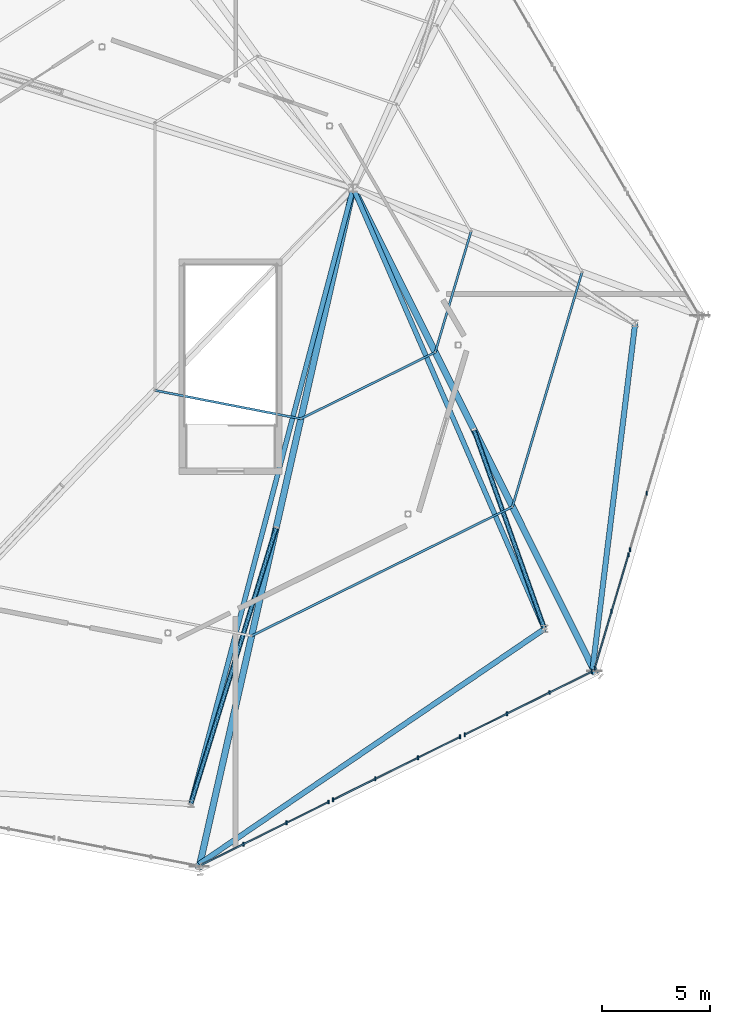
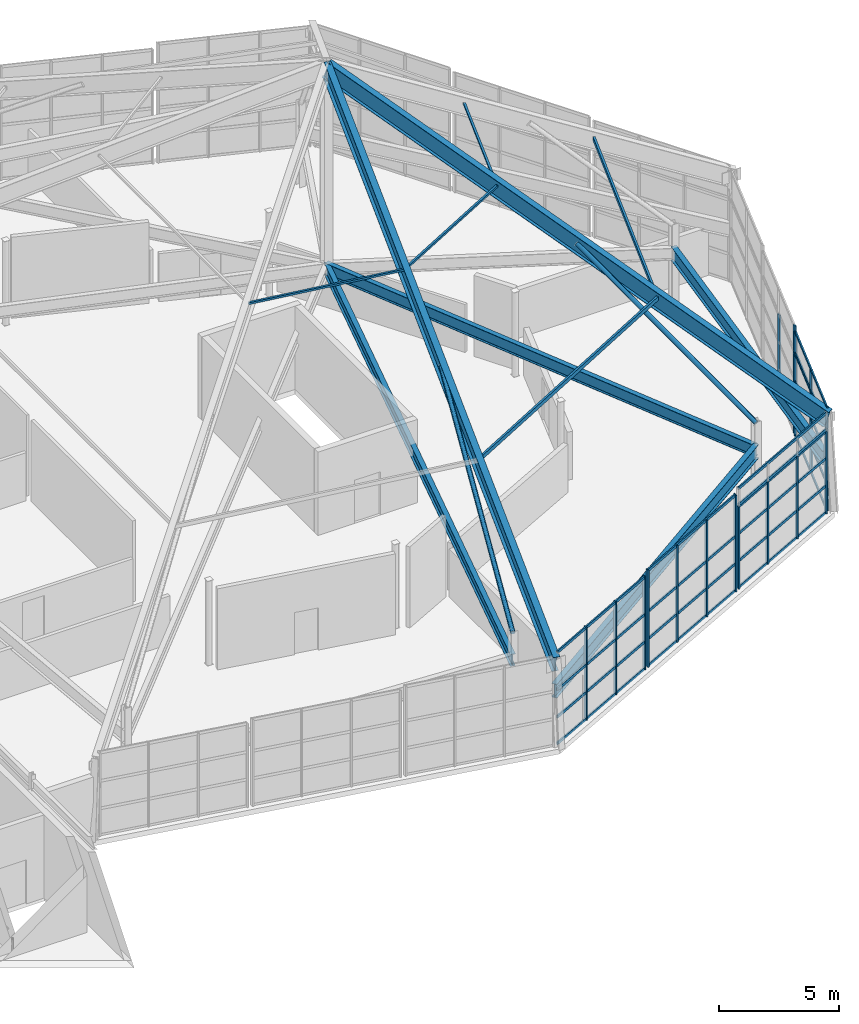
# One storey, part 15 of 50: 47 members, 6 beams, 8 elements without a shape of their own.
"""IFC4 building model written with IfcOpenShell, lengths in metres."""

from ifc_helpers import new_model, si_unit, direction, frame, origin, origin_2d, place, context, subcontext, project, spatial, rectangle, hollow_rectangle, hollow_circle, i_section, extrude, material, material_profile, profile_set, type_object, element, aggregate, save


model = new_model("IFC4")

# Units and contexts
model_context = context("Model", 3, precision=1e-05, world=origin(), true_north=direction((0.0, 1.0)))
body_context = subcontext(model_context, "Body", "Model", "MODEL_VIEW")
ifc_project = project(units=[si_unit("LENGTHUNIT", "METRE"), si_unit("AREAUNIT", "SQUARE_METRE"), si_unit("VOLUMEUNIT", "CUBIC_METRE"), si_unit("PLANEANGLEUNIT", "RADIAN"), si_unit("MASSUNIT", "GRAM", prefix="KILO")], contexts=[model_context])

# Site, building, storey
site_placement = place(None, origin())
site = spatial("IfcSite", under=ifc_project, at=site_placement, CompositionType="ELEMENT")
building_placement = place(site_placement, origin())
building = spatial("IfcBuilding", under=site, at=building_placement, Name="Sarnbrook Museum", CompositionType="ELEMENT")
storey_placement = place(building_placement, frame((0.0, 0.0, 28.10009765625)))
storey = spatial("IfcBuildingStorey", under=building, at=storey_placement, Name="L05", CompositionType="ELEMENT", Elevation=28.10009765625)

# Beams
ifc_material_1 = material(Name="Structural Steel Grade 300PLUS (AS/NZS 3679.1, fy = 280 MPa for 17 < t <= 40 mm, 300 MPa for t <= 17 mm)", Category="steel")
ifc_material_profile_1 = material_profile(ifc_material_1, i_section(OverallWidth=0.22802734375, OverallDepth=0.60693359375, WebThickness=0.01123046875, FlangeThickness=0.017333984375, FilletRadius=0.013916015625, at=origin_2d()), Name="610UB113")
ifc_profile_set_1 = profile_set([ifc_material_profile_1], Name="Structural Steel Grade 300PLUS (AS/NZS 3679.1, fy = 280 MPa for 17 < t <= 40 mm, 300 MPa for t <= 17 mm)")
beam_type_1 = type_object("IfcBeamType", Name="BM-UB610", PredefinedType="BEAM", material=ifc_profile_set_1)
beam_1_placement = place(storey_placement, frame((141.9560546875, 64.87744140625, 2.75), z_axis=(0.254862730598, 0.966977243037, 0.0), x_axis=(-0.966977243037, 0.254862730598, 0.0)))
element("IfcBeam", 1, at=beam_1_placement, inside=storey, type_object=beam_type_1, Name="Crystal Roof Hub Tie Girder ST-2", PredefinedType="BEAM", context=body_context, shape_type="SweptSolid", body=[
    extrude(i_section(OverallWidth=0.22802734375, OverallDepth=0.60693359375, WebThickness=0.01123046875, FlangeThickness=0.017333984375, FilletRadius=0.013916015625, at=origin_2d()), origin(), (0.0, 0.0, 1.0), 29.60009765625),
])
beam_2_placement = place(storey_placement, frame((158.392822265625, 73.015869140625, 2.75), z_axis=(-0.398224345899, 0.917288051995, 0.0), x_axis=(-0.917288051995, -0.398224345899, 0.0)))
element("IfcBeam", 2, at=beam_2_placement, inside=storey, type_object=beam_type_1, Name="Crystal Roof Hub Tie Girder ST-3", PredefinedType="BEAM", context=body_context, shape_type="SweptSolid", body=[
    extrude(i_section(OverallWidth=0.22802734375, OverallDepth=0.60693359375, WebThickness=0.01123046875, FlangeThickness=0.017333984375, FilletRadius=0.013916015625, at=origin_2d()), origin(), (0.0, 0.0, 1.0), 22.331298828125),
])
ifc_material_2 = material(Name="Structural Steel Grade 350L0 (AS/NZS 3678, fy = 340 MPa for 20 < t <= 40 mm)", Category="steel")
ifc_material_profile_2 = material_profile(ifc_material_2, i_section(OverallWidth=0.25, OverallDepth=0.699951171875, WebThickness=0.010009765625, FlangeThickness=0.01611328125, at=origin_2d()), Name="700WB130")
ifc_profile_set_2 = profile_set([ifc_material_profile_2], Name="Structural Steel Grade 350L0 (AS/NZS 3678, fy = 340 MPa for 20 < t <= 40 mm)")
beam_type_2 = type_object("IfcBeamType", Name="BM-WB700", PredefinedType="BEAM", material=ifc_profile_set_2)
beam_3_placement = place(storey_placement, frame((142.33251953125, 62.077880859375, 2.75), z_axis=(0.826519897111, 0.56290750544, 0.0), x_axis=(-0.56290750544, 0.826519897111, 0.0)))
element("IfcBeam", 3, at=beam_3_placement, inside=storey, type_object=beam_type_2, Name="Crystal Roof Eaves Tie Girder ST-2", PredefinedType="BEAM", context=body_context, shape_type="SweptSolid", body=[
    extrude(i_section(OverallWidth=0.25, OverallDepth=0.699951171875, WebThickness=0.010009765625, FlangeThickness=0.01611328125, at=origin_2d()), origin(), (0.0, 0.0, 1.0), 19.43115234375),
])
beam_4_placement = place(storey_placement, frame((160.625732421875, 71.1357421875, 2.75), z_axis=(0.122309171688, 0.992492048593, 0.0), x_axis=(-0.992492048593, 0.122309171688, 0.0)))
element("IfcBeam", 4, at=beam_4_placement, inside=storey, type_object=beam_type_2, Name="Crystal Roof Eaves Tie Girder ST-3", PredefinedType="BEAM", context=body_context, shape_type="SweptSolid", body=[
    extrude(i_section(OverallWidth=0.25, OverallDepth=0.699951171875, WebThickness=0.010009765625, FlangeThickness=0.01611328125, at=origin_2d()), origin(), (0.0, 0.0, 1.0), 16.1962890625),
])
ifc_material_profile_3 = material_profile(ifc_material_2, i_section(OverallWidth=0.300048828125, OverallDepth=0.89990234375, WebThickness=0.011962890625, FlangeThickness=0.02001953125, at=origin_2d()), Name="900WB175")
ifc_profile_set_3 = profile_set([ifc_material_profile_3], Name="Structural Steel Grade 350L0 (AS/NZS 3678, fy = 340 MPa for 20 < t <= 40 mm)")
beam_type_3 = type_object("IfcBeamType", Name="BM-WB900", PredefinedType="BEAM", material=ifc_profile_set_3)
beam_5_placement = place(storey_placement, frame((142.347412109375, 61.9677734375, 4.169921875), z_axis=(0.213533555288, 0.941363957635, 0.261222740265), x_axis=(-0.97522518986, 0.221214441352, 0.0)))
element("IfcBeam", 5, at=beam_5_placement, inside=storey, type_object=beam_type_3, Name="Crystal Sawtooth Roof Rafter ST-2", PredefinedType="BEAM", context=body_context, shape_type="SweptSolid", body=[
    extrude(i_section(OverallWidth=0.300048828125, OverallDepth=0.89990234375, WebThickness=0.011962890625, FlangeThickness=0.02001953125, at=origin_2d()), origin(), (0.0, 0.0, 1.0), 33.496337890625),
])
beam_6_placement = place(storey_placement, frame((160.713623046875, 71.061767578125, 4.77001953125), z_axis=(-0.425161094171, 0.850738731619, 0.309001059102), x_axis=(-0.89451476927, -0.447038396067, 0.0)))
element("IfcBeam", 6, at=beam_6_placement, inside=storey, type_object=beam_type_3, Name="Crystal Sawtooth Roof Rafter ST-3", PredefinedType="BEAM", context=body_context, shape_type="SweptSolid", body=[
    extrude(i_section(OverallWidth=0.300048828125, OverallDepth=0.89990234375, WebThickness=0.011962890625, FlangeThickness=0.02001953125, at=origin_2d()), origin(), (0.0, 0.0, 1.0), 26.375),
])

# Curtain wall, members
ifc_material_3 = material(Name="Thermally Broken Anodised Aluminium 6063-T6", Category="aluminium")
curtain_wall_type_1 = type_object("IfcCurtainWallType", Name="CurtainWall_CrystalFacet", PredefinedType="NOTDEFINED", material=ifc_material_3)
curtain_wall_1_placement = place(storey_placement, origin())
curtain_wall_1 = element("IfcCurtainWall", 7, at=curtain_wall_1_placement, inside=storey, type_object=curtain_wall_type_1, Name="Crystal Hall Facet Curtain Wall L05-F2.1", PredefinedType="NOTDEFINED")
ifc_material_profile_4 = material_profile(ifc_material_3, rectangle(XDim=0.06494140625, YDim=0.179931640625, at=origin_2d()), Name="ALU MULLION 65x180")
ifc_profile_set_4 = profile_set([ifc_material_profile_4], Name="Thermally Broken Anodised Aluminium 6063-T6")
member_type_1 = type_object("IfcMemberType", Name="CW_Mullion_180x75", PredefinedType="MULLION", material=ifc_profile_set_4)
member_1_placement = place(storey_placement, frame((144.406982421875, 63.0126953125, 0.0), z_axis=(0.0, 0.0, 1.0), x_axis=(1.0, 0.0, 0.0)))
member_1 = element("IfcMember", 8, at=member_1_placement, type_object=member_type_1, Name="Crystal Hall Facet Curtain Wall L05-F2.1 Mullion 2", PredefinedType="MULLION", context=body_context, shape_type="SweptSolid", body=[
    extrude(rectangle(XDim=0.06494140625, YDim=0.179931640625, at=origin_2d()), origin(), (0.0, 0.0, 1.0), 4.72998046875),
])
member_2_placement = place(storey_placement, frame((146.398193359375, 63.99853515625, 0.0), z_axis=(0.0, 0.0, 1.0), x_axis=(1.0, 0.0, 0.0)))
member_2 = element("IfcMember", 9, at=member_2_placement, type_object=member_type_1, Name="Crystal Hall Facet Curtain Wall L05-F2.1 Mullion 3", PredefinedType="MULLION", context=body_context, shape_type="SweptSolid", body=[
    extrude(rectangle(XDim=0.06494140625, YDim=0.179931640625, at=origin_2d()), origin(), (0.0, 0.0, 1.0), 4.72998046875),
])
member_3_placement = place(storey_placement, frame((148.353515625, 64.966796875, 0.0), z_axis=(0.0, 0.0, 1.0), x_axis=(1.0, 0.0, 0.0)))
member_3 = element("IfcMember", 10, at=member_3_placement, type_object=member_type_1, Name="Crystal Hall Facet Curtain Wall L05-F2.1 Mullion 4", PredefinedType="MULLION", context=body_context, shape_type="SweptSolid", body=[
    extrude(rectangle(XDim=0.06494140625, YDim=0.179931640625, at=origin_2d()), origin(), (0.0, 0.0, 1.0), 4.72998046875),
])

curtain_wall_2_placement = place(storey_placement, origin())
curtain_wall_2 = element("IfcCurtainWall", 11, at=curtain_wall_2_placement, inside=storey, type_object=curtain_wall_type_1, Name="Crystal Hall Facet Curtain Wall L05-F2.2", PredefinedType="NOTDEFINED")
member_4_placement = place(storey_placement, frame((148.568603515625, 65.0732421875, 0.0), z_axis=(0.0, 0.0, 1.0), x_axis=(1.0, 0.0, 0.0)))
member_4 = element("IfcMember", 12, at=member_4_placement, type_object=member_type_1, Name="Crystal Hall Facet Curtain Wall L05-F2.2 Mullion 1", PredefinedType="MULLION", context=body_context, shape_type="SweptSolid", body=[
    extrude(rectangle(XDim=0.06494140625, YDim=0.179931640625, at=origin_2d()), origin(), (0.0, 0.0, 1.0), 4.929931640625),
])
member_5_placement = place(storey_placement, frame((150.52392578125, 66.04150390625, 0.0), z_axis=(0.0, 0.0, 1.0), x_axis=(1.0, 0.0, 0.0)))
member_5 = element("IfcMember", 13, at=member_5_placement, type_object=member_type_1, Name="Crystal Hall Facet Curtain Wall L05-F2.2 Mullion 2", PredefinedType="MULLION", context=body_context, shape_type="SweptSolid", body=[
    extrude(rectangle(XDim=0.06494140625, YDim=0.179931640625, at=origin_2d()), origin(), (0.0, 0.0, 1.0), 4.929931640625),
])
member_6_placement = place(storey_placement, frame((152.51513671875, 67.02734375, 0.0), z_axis=(0.0, 0.0, 1.0), x_axis=(1.0, 0.0, 0.0)))
member_6 = element("IfcMember", 14, at=member_6_placement, type_object=member_type_1, Name="Crystal Hall Facet Curtain Wall L05-F2.2 Mullion 3", PredefinedType="MULLION", context=body_context, shape_type="SweptSolid", body=[
    extrude(rectangle(XDim=0.06494140625, YDim=0.179931640625, at=origin_2d()), origin(), (0.0, 0.0, 1.0), 4.929931640625),
])
member_7_placement = place(storey_placement, frame((154.470458984375, 67.99560546875, 0.0), z_axis=(0.0, 0.0, 1.0), x_axis=(1.0, 0.0, 0.0)))
member_7 = element("IfcMember", 15, at=member_7_placement, type_object=member_type_1, Name="Crystal Hall Facet Curtain Wall L05-F2.2 Mullion 4", PredefinedType="MULLION", context=body_context, shape_type="SweptSolid", body=[
    extrude(rectangle(XDim=0.06494140625, YDim=0.179931640625, at=origin_2d()), origin(), (0.0, 0.0, 1.0), 4.929931640625),
])

curtain_wall_3_placement = place(storey_placement, origin())
curtain_wall_3 = element("IfcCurtainWall", 16, at=curtain_wall_3_placement, inside=storey, type_object=curtain_wall_type_1, Name="Crystal Hall Facet Curtain Wall L05-F2.3", PredefinedType="NOTDEFINED")
member_8_placement = place(storey_placement, frame((154.685546875, 68.10205078125, 0.0), z_axis=(0.0, 0.0, 1.0), x_axis=(1.0, 0.0, 0.0)))
member_8 = element("IfcMember", 17, at=member_8_placement, type_object=member_type_1, Name="Crystal Hall Facet Curtain Wall L05-F2.3 Mullion 1", PredefinedType="MULLION", context=body_context, shape_type="SweptSolid", body=[
    extrude(rectangle(XDim=0.06494140625, YDim=0.179931640625, at=origin_2d()), origin(), (0.0, 0.0, 1.0), 4.199951171875),
])
member_9_placement = place(storey_placement, frame((156.640869140625, 69.0703125, 0.0), z_axis=(0.0, 0.0, 1.0), x_axis=(1.0, 0.0, 0.0)))
member_9 = element("IfcMember", 18, at=member_9_placement, type_object=member_type_1, Name="Crystal Hall Facet Curtain Wall L05-F2.3 Mullion 2", PredefinedType="MULLION", context=body_context, shape_type="SweptSolid", body=[
    extrude(rectangle(XDim=0.06494140625, YDim=0.179931640625, at=origin_2d()), origin(), (0.0, 0.0, 1.0), 4.199951171875),
])
member_10_placement = place(storey_placement, frame((158.632080078125, 70.05615234375, 0.0), z_axis=(0.0, 0.0, 1.0), x_axis=(1.0, 0.0, 0.0)))
member_10 = element("IfcMember", 19, at=member_10_placement, type_object=member_type_1, Name="Crystal Hall Facet Curtain Wall L05-F2.3 Mullion 3", PredefinedType="MULLION", context=body_context, shape_type="SweptSolid", body=[
    extrude(rectangle(XDim=0.06494140625, YDim=0.179931640625, at=origin_2d()), origin(), (0.0, 0.0, 1.0), 4.199951171875),
])
member_11_placement = place(storey_placement, frame((160.58740234375, 71.0244140625, 0.0), z_axis=(0.0, 0.0, 1.0), x_axis=(1.0, 0.0, 0.0)))
member_11 = element("IfcMember", 20, at=member_11_placement, type_object=member_type_1, Name="Crystal Hall Facet Curtain Wall L05-F2.3 Mullion 4", PredefinedType="MULLION", context=body_context, shape_type="SweptSolid", body=[
    extrude(rectangle(XDim=0.06494140625, YDim=0.179931640625, at=origin_2d()), origin(), (0.0, 0.0, 1.0), 4.199951171875),
])

curtain_wall_4_placement = place(storey_placement, origin())
curtain_wall_4 = element("IfcCurtainWall", 21, at=curtain_wall_4_placement, inside=storey, type_object=curtain_wall_type_1, Name="Crystal Hall Facet Curtain Wall L05-F3.1", PredefinedType="NOTDEFINED")
member_12_placement = place(storey_placement, frame((160.729248046875, 71.1923828125, 0.0), z_axis=(0.0, 0.0, 1.0), x_axis=(1.0, 0.0, 0.0)))
member_12 = element("IfcMember", 22, at=member_12_placement, type_object=member_type_1, Name="Crystal Hall Facet Curtain Wall L05-F3.1 Mullion 1", PredefinedType="MULLION", context=body_context, shape_type="SweptSolid", body=[
    extrude(rectangle(XDim=0.06494140625, YDim=0.179931640625, at=origin_2d()), origin(), (0.0, 0.0, 1.0), 4.199951171875),
])
member_13_placement = place(storey_placement, frame((161.51123046875, 73.826904296875, 0.0), z_axis=(0.0, 0.0, 1.0), x_axis=(1.0, 0.0, 0.0)))
member_13 = element("IfcMember", 23, at=member_13_placement, type_object=member_type_1, Name="Crystal Hall Facet Curtain Wall L05-F3.1 Mullion 2", PredefinedType="MULLION", context=body_context, shape_type="SweptSolid", body=[
    extrude(rectangle(XDim=0.06494140625, YDim=0.179931640625, at=origin_2d()), origin(), (0.0, 0.0, 1.0), 4.199951171875),
])
member_14_placement = place(storey_placement, frame((162.293212890625, 76.461181640625, 0.0), z_axis=(0.0, 0.0, 1.0), x_axis=(1.0, 0.0, 0.0)))
member_14 = element("IfcMember", 24, at=member_14_placement, type_object=member_type_1, Name="Crystal Hall Facet Curtain Wall L05-F3.1 Mullion 3", PredefinedType="MULLION", context=body_context, shape_type="SweptSolid", body=[
    extrude(rectangle(XDim=0.06494140625, YDim=0.179931640625, at=origin_2d()), origin(), (0.0, 0.0, 1.0), 4.199951171875),
])

curtain_wall_type_2 = type_object("IfcCurtainWallType", Name="CurtainWall_Sawtooth", PredefinedType="NOTDEFINED", material=ifc_material_3)
curtain_wall_5_placement = place(storey_placement, origin())
curtain_wall_5 = element("IfcCurtainWall", 25, at=curtain_wall_5_placement, inside=storey, type_object=curtain_wall_type_2, Name="Crystal Roof Folded Eaves Clerestory 2", PredefinedType="NOTDEFINED")
member_15_placement = place(storey_placement, frame((160.729248046875, 71.1923828125, 4.219970703125), z_axis=(0.0, 0.0, 1.0), x_axis=(1.0, 0.0, 0.0)))
member_15 = element("IfcMember", 26, at=member_15_placement, type_object=member_type_1, Name="Crystal Roof Folded Eaves Clerestory 2 Mullion 1", PredefinedType="MULLION", context=body_context, shape_type="SweptSolid", body=[
    extrude(rectangle(XDim=0.06494140625, YDim=0.179931640625, at=origin_2d()), origin(), (0.0, 0.0, 1.0), 1.10986328125),
])
member_16_placement = place(storey_placement, frame((161.51123046875, 73.826904296875, 4.219970703125), z_axis=(0.0, 0.0, 1.0), x_axis=(1.0, 0.0, 0.0)))
member_16 = element("IfcMember", 27, at=member_16_placement, type_object=member_type_1, Name="Crystal Roof Folded Eaves Clerestory 2 Mullion 2", PredefinedType="MULLION", context=body_context, shape_type="SweptSolid", body=[
    extrude(rectangle(XDim=0.06494140625, YDim=0.179931640625, at=origin_2d()), origin(), (0.0, 0.0, 1.0), 1.10986328125),
])
member_17_placement = place(storey_placement, frame((162.293212890625, 76.461181640625, 4.219970703125), z_axis=(0.0, 0.0, 1.0), x_axis=(1.0, 0.0, 0.0)))
member_17 = element("IfcMember", 28, at=member_17_placement, type_object=member_type_1, Name="Crystal Roof Folded Eaves Clerestory 2 Mullion 3", PredefinedType="MULLION", context=body_context, shape_type="SweptSolid", body=[
    extrude(rectangle(XDim=0.06494140625, YDim=0.179931640625, at=origin_2d()), origin(), (0.0, 0.0, 1.0), 1.10986328125),
])

curtain_wall_6_placement = place(storey_placement, origin())
curtain_wall_6 = element("IfcCurtainWall", 29, at=curtain_wall_6_placement, inside=storey, type_object=curtain_wall_type_1, Name="Crystal Hall Facet Curtain Wall L05-F3.2", PredefinedType="NOTDEFINED")
member_18_placement = place(storey_placement, frame((162.361572265625, 76.691162109375, 0.0), z_axis=(0.0, 0.0, 1.0), x_axis=(1.0, 0.0, 0.0)))
member_18 = element("IfcMember", 30, at=member_18_placement, type_object=member_type_1, Name="Crystal Hall Facet Curtain Wall L05-F3.2 Mullion 1", PredefinedType="MULLION", context=body_context, shape_type="SweptSolid", body=[
    extrude(rectangle(XDim=0.06494140625, YDim=0.179931640625, at=origin_2d()), origin(), (0.0, 0.0, 1.0), 4.199951171875),
])
member_19_placement = place(storey_placement, frame((163.1435546875, 79.325439453125, 0.0), z_axis=(0.0, 0.0, 1.0), x_axis=(1.0, 0.0, 0.0)))
member_19 = element("IfcMember", 31, at=member_19_placement, type_object=member_type_1, Name="Crystal Hall Facet Curtain Wall L05-F3.2 Mullion 2", PredefinedType="MULLION", context=body_context, shape_type="SweptSolid", body=[
    extrude(rectangle(XDim=0.06494140625, YDim=0.179931640625, at=origin_2d()), origin(), (0.0, 0.0, 1.0), 4.199951171875),
])
aggregate(curtain_wall_6, [member_18, member_19])

# Curtain wall, member
curtain_wall_7_placement = place(storey_placement, origin())
curtain_wall_7 = element("IfcCurtainWall", 32, at=curtain_wall_7_placement, inside=storey, type_object=curtain_wall_type_2, Name="Crystal Roof Folded Eaves Clerestory 3", PredefinedType="NOTDEFINED")
member_20_placement = place(storey_placement, frame((162.361572265625, 76.691162109375, 4.219970703125), z_axis=(0.0, 0.0, 1.0), x_axis=(1.0, 0.0, 0.0)))
member_20 = element("IfcMember", 33, at=member_20_placement, type_object=member_type_1, Name="Crystal Roof Folded Eaves Clerestory 3 Mullion 1", PredefinedType="MULLION", context=body_context, shape_type="SweptSolid", body=[
    extrude(rectangle(XDim=0.06494140625, YDim=0.179931640625, at=origin_2d()), origin(), (0.0, 0.0, 1.0), 1.309814453125),
])
aggregate(curtain_wall_7, [member_20])

# Member
ifc_material_profile_5 = material_profile(ifc_material_3, rectangle(XDim=0.06494140625, YDim=0.139892578125, at=origin_2d()), Name="ALU TRANSOM 65x140")
ifc_profile_set_5 = profile_set([ifc_material_profile_5], Name="Thermally Broken Anodised Aluminium 6063-T6")
member_type_2 = type_object("IfcMemberType", Name="CW_Transom_150x65", PredefinedType="USERDEFINED", material=ifc_profile_set_5)
member_21_placement = place(storey_placement, frame((142.460693359375, 62.048828125, 0.039794921875), z_axis=(0.89614589423, 0.44375954779, 0.0), x_axis=(-0.44375954779, 0.89614589423, 0.0)))
member_21 = element("IfcMember", 34, at=member_21_placement, type_object=member_type_2, Name="Crystal Hall Facet Curtain Wall L05-F2.1 Transom 1", ObjectType="TRANSOM", PredefinedType="USERDEFINED", context=body_context, shape_type="SweptSolid", body=[
    extrude(rectangle(XDim=0.06494140625, YDim=0.139892578125, at=origin_2d()), origin(), (0.0, 0.0, 1.0), 6.565673828125),
])

member_22_placement = place(storey_placement, frame((142.460693359375, 62.048828125, 1.39990234375), z_axis=(0.89614589423, 0.44375954779, 0.0), x_axis=(-0.44375954779, 0.89614589423, 0.0)))
member_22 = element("IfcMember", 35, at=member_22_placement, type_object=member_type_2, Name="Crystal Hall Facet Curtain Wall L05-F2.1 Transom 2", ObjectType="TRANSOM", PredefinedType="USERDEFINED", context=body_context, shape_type="SweptSolid", body=[
    extrude(rectangle(XDim=0.06494140625, YDim=0.139892578125, at=origin_2d()), origin(), (0.0, 0.0, 1.0), 6.565673828125),
])

member_23_placement = place(storey_placement, frame((142.460693359375, 62.048828125, 2.7998046875), z_axis=(0.89614589423, 0.44375954779, 0.0), x_axis=(-0.44375954779, 0.89614589423, 0.0)))
member_23 = element("IfcMember", 36, at=member_23_placement, type_object=member_type_2, Name="Crystal Hall Facet Curtain Wall L05-F2.1 Transom 3", ObjectType="TRANSOM", PredefinedType="USERDEFINED", context=body_context, shape_type="SweptSolid", body=[
    extrude(rectangle(XDim=0.06494140625, YDim=0.139892578125, at=origin_2d()), origin(), (0.0, 0.0, 1.0), 6.565673828125),
])

member_24_placement = place(storey_placement, frame((142.460693359375, 62.048828125, 4.68994140625), z_axis=(0.89614589423, 0.44375954779, 0.0), x_axis=(-0.44375954779, 0.89614589423, 0.0)))
member_24 = element("IfcMember", 37, at=member_24_placement, type_object=member_type_2, Name="Crystal Hall Facet Curtain Wall L05-F2.1 Transom 4", ObjectType="TRANSOM", PredefinedType="USERDEFINED", context=body_context, shape_type="SweptSolid", body=[
    extrude(rectangle(XDim=0.06494140625, YDim=0.139892578125, at=origin_2d()), origin(), (0.0, 0.0, 1.0), 6.565673828125),
])

aggregate(curtain_wall_1, [member_1, member_2, member_3, member_21, member_22, member_23, member_24])

member_25_placement = place(storey_placement, frame((148.57763671875, 65.07763671875, 0.039794921875), z_axis=(0.89616068125, 0.443729685035, 0.0), x_axis=(-0.443729685035, 0.89616068125, 0.0)))
member_25 = element("IfcMember", 38, at=member_25_placement, type_object=member_type_2, Name="Crystal Hall Facet Curtain Wall L05-F2.2 Transom 1", ObjectType="TRANSOM", PredefinedType="USERDEFINED", context=body_context, shape_type="SweptSolid", body=[
    extrude(rectangle(XDim=0.06494140625, YDim=0.139892578125, at=origin_2d()), origin(), (0.0, 0.0, 1.0), 6.5654296875),
])

member_26_placement = place(storey_placement, frame((148.57763671875, 65.07763671875, 1.39990234375), z_axis=(0.89616068125, 0.443729685035, 0.0), x_axis=(-0.443729685035, 0.89616068125, 0.0)))
member_26 = element("IfcMember", 39, at=member_26_placement, type_object=member_type_2, Name="Crystal Hall Facet Curtain Wall L05-F2.2 Transom 2", ObjectType="TRANSOM", PredefinedType="USERDEFINED", context=body_context, shape_type="SweptSolid", body=[
    extrude(rectangle(XDim=0.06494140625, YDim=0.139892578125, at=origin_2d()), origin(), (0.0, 0.0, 1.0), 6.5654296875),
])

member_27_placement = place(storey_placement, frame((148.57763671875, 65.07763671875, 2.7998046875), z_axis=(0.89616068125, 0.443729685035, 0.0), x_axis=(-0.443729685035, 0.89616068125, 0.0)))
member_27 = element("IfcMember", 40, at=member_27_placement, type_object=member_type_2, Name="Crystal Hall Facet Curtain Wall L05-F2.2 Transom 3", ObjectType="TRANSOM", PredefinedType="USERDEFINED", context=body_context, shape_type="SweptSolid", body=[
    extrude(rectangle(XDim=0.06494140625, YDim=0.139892578125, at=origin_2d()), origin(), (0.0, 0.0, 1.0), 6.5654296875),
])

member_28_placement = place(storey_placement, frame((148.57763671875, 65.07763671875, 4.889892578125), z_axis=(0.89616068125, 0.443729685035, 0.0), x_axis=(-0.443729685035, 0.89616068125, 0.0)))
member_28 = element("IfcMember", 41, at=member_28_placement, type_object=member_type_2, Name="Crystal Hall Facet Curtain Wall L05-F2.2 Transom 4", ObjectType="TRANSOM", PredefinedType="USERDEFINED", context=body_context, shape_type="SweptSolid", body=[
    extrude(rectangle(XDim=0.06494140625, YDim=0.139892578125, at=origin_2d()), origin(), (0.0, 0.0, 1.0), 6.5654296875),
])

aggregate(curtain_wall_2, [member_4, member_5, member_6, member_7, member_25, member_26, member_27, member_28])

member_29_placement = place(storey_placement, frame((154.694580078125, 68.1064453125, 0.039794921875), z_axis=(0.896168002481, 0.443714898701, 0.0), x_axis=(-0.443714898701, 0.896168002481, 0.0)))
member_29 = element("IfcMember", 42, at=member_29_placement, type_object=member_type_2, Name="Crystal Hall Facet Curtain Wall L05-F2.3 Transom 1", ObjectType="TRANSOM", PredefinedType="USERDEFINED", context=body_context, shape_type="SweptSolid", body=[
    extrude(rectangle(XDim=0.06494140625, YDim=0.139892578125, at=origin_2d()), origin(), (0.0, 0.0, 1.0), 6.565673828125),
])

member_30_placement = place(storey_placement, frame((154.694580078125, 68.1064453125, 1.39990234375), z_axis=(0.896168002481, 0.443714898701, 0.0), x_axis=(-0.443714898701, 0.896168002481, 0.0)))
member_30 = element("IfcMember", 43, at=member_30_placement, type_object=member_type_2, Name="Crystal Hall Facet Curtain Wall L05-F2.3 Transom 2", ObjectType="TRANSOM", PredefinedType="USERDEFINED", context=body_context, shape_type="SweptSolid", body=[
    extrude(rectangle(XDim=0.06494140625, YDim=0.139892578125, at=origin_2d()), origin(), (0.0, 0.0, 1.0), 6.565673828125),
])

member_31_placement = place(storey_placement, frame((154.694580078125, 68.1064453125, 2.7998046875), z_axis=(0.896168002481, 0.443714898701, 0.0), x_axis=(-0.443714898701, 0.896168002481, 0.0)))
member_31 = element("IfcMember", 44, at=member_31_placement, type_object=member_type_2, Name="Crystal Hall Facet Curtain Wall L05-F2.3 Transom 3", ObjectType="TRANSOM", PredefinedType="USERDEFINED", context=body_context, shape_type="SweptSolid", body=[
    extrude(rectangle(XDim=0.06494140625, YDim=0.139892578125, at=origin_2d()), origin(), (0.0, 0.0, 1.0), 6.565673828125),
])

member_32_placement = place(storey_placement, frame((154.694580078125, 68.1064453125, 4.159912109375), z_axis=(0.896168002481, 0.443714898701, 0.0), x_axis=(-0.443714898701, 0.896168002481, 0.0)))
member_32 = element("IfcMember", 45, at=member_32_placement, type_object=member_type_2, Name="Crystal Hall Facet Curtain Wall L05-F2.3 Transom 4", ObjectType="TRANSOM", PredefinedType="USERDEFINED", context=body_context, shape_type="SweptSolid", body=[
    extrude(rectangle(XDim=0.06494140625, YDim=0.139892578125, at=origin_2d()), origin(), (0.0, 0.0, 1.0), 6.565673828125),
])

aggregate(curtain_wall_3, [member_8, member_9, member_10, member_11, member_29, member_30, member_31, member_32])

# Curtain wall, members
curtain_wall_8_placement = place(storey_placement, origin())
curtain_wall_8 = element("IfcCurtainWall", 46, at=curtain_wall_8_placement, inside=storey, type_object=curtain_wall_type_2, Name="Crystal Roof Folded Eaves Clerestory 1", PredefinedType="NOTDEFINED")
member_33_placement = place(storey_placement, frame((154.694580078125, 68.1064453125, 4.260009765625), z_axis=(0.896168002481, 0.443714898701, 0.0), x_axis=(-0.443714898701, 0.896168002481, 0.0)))
member_33 = element("IfcMember", 47, at=member_33_placement, type_object=member_type_2, Name="Crystal Roof Folded Eaves Clerestory 1 Transom 1", ObjectType="TRANSOM", PredefinedType="USERDEFINED", context=body_context, shape_type="SweptSolid", body=[
    extrude(rectangle(XDim=0.06494140625, YDim=0.139892578125, at=origin_2d()), origin(), (0.0, 0.0, 1.0), 6.565673828125),
])
member_34_placement = place(storey_placement, frame((154.694580078125, 68.1064453125, 5.08984375), z_axis=(0.896168002481, 0.443714898701, 0.0), x_axis=(-0.443714898701, 0.896168002481, 0.0)))
member_34 = element("IfcMember", 48, at=member_34_placement, type_object=member_type_2, Name="Crystal Roof Folded Eaves Clerestory 1 Transom 2", ObjectType="TRANSOM", PredefinedType="USERDEFINED", context=body_context, shape_type="SweptSolid", body=[
    extrude(rectangle(XDim=0.06494140625, YDim=0.139892578125, at=origin_2d()), origin(), (0.0, 0.0, 1.0), 6.565673828125),
])
aggregate(curtain_wall_8, [member_33, member_34])

# Member
member_35_placement = place(storey_placement, frame((160.73193359375, 71.2021484375, 0.039794921875), z_axis=(0.284593806793, 0.958648196751, 0.0), x_axis=(-0.958648196751, 0.284593806793, 0.0)))
member_35 = element("IfcMember", 49, at=member_35_placement, type_object=member_type_2, Name="Crystal Hall Facet Curtain Wall L05-F3.1 Transom 1", ObjectType="TRANSOM", PredefinedType="USERDEFINED", context=body_context, shape_type="SweptSolid", body=[
    extrude(rectangle(XDim=0.06494140625, YDim=0.139892578125, at=origin_2d()), origin(), (0.0, 0.0, 1.0), 5.4755859375),
])

member_36_placement = place(storey_placement, frame((160.73193359375, 71.2021484375, 1.39990234375), z_axis=(0.284593806793, 0.958648196751, 0.0), x_axis=(-0.958648196751, 0.284593806793, 0.0)))
member_36 = element("IfcMember", 50, at=member_36_placement, type_object=member_type_2, Name="Crystal Hall Facet Curtain Wall L05-F3.1 Transom 2", ObjectType="TRANSOM", PredefinedType="USERDEFINED", context=body_context, shape_type="SweptSolid", body=[
    extrude(rectangle(XDim=0.06494140625, YDim=0.139892578125, at=origin_2d()), origin(), (0.0, 0.0, 1.0), 5.4755859375),
])

member_37_placement = place(storey_placement, frame((160.73193359375, 71.2021484375, 2.7998046875), z_axis=(0.284593806793, 0.958648196751, 0.0), x_axis=(-0.958648196751, 0.284593806793, 0.0)))
member_37 = element("IfcMember", 51, at=member_37_placement, type_object=member_type_2, Name="Crystal Hall Facet Curtain Wall L05-F3.1 Transom 3", ObjectType="TRANSOM", PredefinedType="USERDEFINED", context=body_context, shape_type="SweptSolid", body=[
    extrude(rectangle(XDim=0.06494140625, YDim=0.139892578125, at=origin_2d()), origin(), (0.0, 0.0, 1.0), 5.4755859375),
])

member_38_placement = place(storey_placement, frame((160.73193359375, 71.2021484375, 4.159912109375), z_axis=(0.284593806793, 0.958648196751, 0.0), x_axis=(-0.958648196751, 0.284593806793, 0.0)))
member_38 = element("IfcMember", 52, at=member_38_placement, type_object=member_type_2, Name="Crystal Hall Facet Curtain Wall L05-F3.1 Transom 4", ObjectType="TRANSOM", PredefinedType="USERDEFINED", context=body_context, shape_type="SweptSolid", body=[
    extrude(rectangle(XDim=0.06494140625, YDim=0.139892578125, at=origin_2d()), origin(), (0.0, 0.0, 1.0), 5.4755859375),
])

aggregate(curtain_wall_4, [member_12, member_13, member_14, member_35, member_36, member_37, member_38])

member_39_placement = place(storey_placement, frame((160.73193359375, 71.2021484375, 4.260009765625), z_axis=(0.284593806793, 0.958648196751, 0.0), x_axis=(-0.958648196751, 0.284593806793, 0.0)))
member_39 = element("IfcMember", 53, at=member_39_placement, type_object=member_type_2, Name="Crystal Roof Folded Eaves Clerestory 2 Transom 1", ObjectType="TRANSOM", PredefinedType="USERDEFINED", context=body_context, shape_type="SweptSolid", body=[
    extrude(rectangle(XDim=0.06494140625, YDim=0.139892578125, at=origin_2d()), origin(), (0.0, 0.0, 1.0), 5.4755859375),
])

member_40_placement = place(storey_placement, frame((160.73193359375, 71.2021484375, 5.289794921875), z_axis=(0.284593806793, 0.958648196751, 0.0), x_axis=(-0.958648196751, 0.284593806793, 0.0)))
member_40 = element("IfcMember", 54, at=member_40_placement, type_object=member_type_2, Name="Crystal Roof Folded Eaves Clerestory 2 Transom 2", ObjectType="TRANSOM", PredefinedType="USERDEFINED", context=body_context, shape_type="SweptSolid", body=[
    extrude(rectangle(XDim=0.06494140625, YDim=0.139892578125, at=origin_2d()), origin(), (0.0, 0.0, 1.0), 5.4755859375),
])

aggregate(curtain_wall_5, [member_15, member_16, member_17, member_39, member_40])

# Members
ifc_material_4 = material(Name="Structural Steel Hollow Section Grade C350L0 (AS/NZS 1163, fy = 350 MPa)", Category="steel")
ifc_material_profile_6 = material_profile(ifc_material_4, hollow_circle(Radius=0.109619140625, WallThickness=0.00830078125, at=origin_2d()), Name="219.1x8.2CHS")
ifc_profile_set_6 = profile_set([ifc_material_profile_6], Name="Structural Steel Hollow Section Grade C350L0 (AS/NZS 1163, fy = 350 MPa)")
member_type_3 = type_object("IfcMemberType", Name="MB-CHS219", PredefinedType="BRACE", material=ifc_profile_set_6)
member_41_placement = place(storey_placement, frame((141.9560546875, 64.87744140625, 4.14990234375), z_axis=(0.280304558388, 0.908303368699, 0.310506594062), x_axis=(-0.955534255808, 0.294880121366, 0.0)))
element("IfcMember", 55, at=member_41_placement, inside=storey, type_object=member_type_3, Name="Crystal Sawtooth Truss Web Strut ST-2", PredefinedType="BRACE", context=body_context, shape_type="SweptSolid", body=[
    extrude(hollow_circle(Radius=0.109619140625, WallThickness=0.00830078125, at=origin_2d()), origin(), (0.0, 0.0, 1.0), 14.154296875),
])
member_42_placement = place(storey_placement, frame((158.392822265625, 73.015869140625, 4.14990234375), z_axis=(-0.301618302491, 0.850465456537, 0.43096972845), x_axis=(-0.942483530498, -0.334252591225, 0.0)))
element("IfcMember", 56, at=member_42_placement, inside=storey, type_object=member_type_3, Name="Crystal Sawtooth Truss Web Strut ST-3", PredefinedType="BRACE", context=body_context, shape_type="SweptSolid", body=[
    extrude(hollow_circle(Radius=0.109619140625, WallThickness=0.00830078125, at=origin_2d()), origin(), (0.0, 0.0, 1.0), 10.894287109375),
])
ifc_material_profile_7 = material_profile(ifc_material_4, hollow_rectangle(XDim=0.10009765625, YDim=0.199951171875, WallThickness=0.008056640625, at=origin_2d()), Name="200x100x8.0RHS")
ifc_profile_set_7 = profile_set([ifc_material_profile_7], Name="Structural Steel Hollow Section Grade C350L0 (AS/NZS 1163, fy = 350 MPa)")
member_type_4 = type_object("IfcMemberType", Name="PR-RHS200", PredefinedType="PURLIN", material=ifc_profile_set_7)
member_43_placement = place(storey_placement, frame((144.779296875, 72.688720703125, 7.204833984375), z_axis=(0.89576942435, 0.443554708915, 0.029263605363), x_axis=(-0.443744751927, 0.896153220793, 0.0)))
element("IfcMember", 57, at=member_43_placement, inside=storey, type_object=member_type_4, Name="Crystal Roof Purlin 2-1", PredefinedType="PURLIN", context=body_context, shape_type="SweptSolid", body=[
    extrude(hollow_rectangle(XDim=0.10009765625, YDim=0.199951171875, WallThickness=0.008056640625, at=origin_2d()), origin(), (0.0, 0.0, 1.0), 13.531982421875),
])
member_44_placement = place(storey_placement, frame((156.90087890625, 78.69091796875, 7.600830078125), z_axis=(0.284451711234, 0.958058256983, 0.034808047953), x_axis=(-0.958639176708, 0.284624188855, 0.0)))
element("IfcMember", 58, at=member_44_placement, inside=storey, type_object=member_type_4, Name="Crystal Roof Purlin 3-1", PredefinedType="PURLIN", context=body_context, shape_type="SweptSolid", body=[
    extrude(hollow_rectangle(XDim=0.10009765625, YDim=0.199951171875, WallThickness=0.008056640625, at=origin_2d()), origin(), (0.0, 0.0, 1.0), 11.37646484375),
])
ifc_material_profile_8 = material_profile(ifc_material_4, hollow_rectangle(XDim=0.10009765625, YDim=0.10009765625, WallThickness=0.006103515625, at=origin_2d()), Name="100x100x6.0SHS")
ifc_profile_set_8 = profile_set([ifc_material_profile_8], Name="Structural Steel Hollow Section Grade C350L0 (AS/NZS 1163, fy = 350 MPa)")
member_type_5 = type_object("IfcMemberType", Name="PR-SHS100", PredefinedType="PURLIN", material=ifc_profile_set_8)
member_45_placement = place(storey_placement, frame((140.29248046875, 84.099609375, 9.871826171875), z_axis=(0.981290680833, -0.191251442821, 0.022169468414), x_axis=(0.191298458792, 0.981531914745, 0.0)))
element("IfcMember", 59, at=member_45_placement, inside=storey, type_object=member_type_5, Name="Crystal Roof Purlin 1-2", PredefinedType="PURLIN", context=body_context, shape_type="SweptSolid", body=[
    extrude(hollow_rectangle(XDim=0.10009765625, YDim=0.10009765625, WallThickness=0.006103515625, at=origin_2d()), origin(), (0.0, 0.0, 1.0), 6.90478515625),
])
member_46_placement = place(storey_placement, frame((147.068115234375, 82.779052734375, 10.02490234375), z_axis=(0.895774067538, 0.443544396175, 0.029277782487), x_axis=(-0.443734619065, 0.896158238172, 0.0)))
element("IfcMember", 60, at=member_46_placement, inside=storey, type_object=member_type_5, Name="Crystal Roof Purlin 2-2", PredefinedType="PURLIN", context=body_context, shape_type="SweptSolid", body=[
    extrude(hollow_rectangle(XDim=0.10009765625, YDim=0.10009765625, WallThickness=0.006103515625, at=origin_2d()), origin(), (0.0, 0.0, 1.0), 6.97119140625),
])
member_47_placement = place(storey_placement, frame((153.312744140625, 85.87109375, 10.22900390625), z_axis=(0.284394362905, 0.958076161193, 0.034783842541), x_axis=(-0.958656283366, 0.284566565787, 0.0)))
element("IfcMember", 61, at=member_47_placement, inside=storey, type_object=member_type_5, Name="Crystal Roof Purlin 3-2", PredefinedType="PURLIN", context=body_context, shape_type="SweptSolid", body=[
    extrude(hollow_rectangle(XDim=0.10009765625, YDim=0.10009765625, WallThickness=0.006103515625, at=origin_2d()), origin(), (0.0, 0.0, 1.0), 5.860595703125),
])

save(model, "model.ifc")
